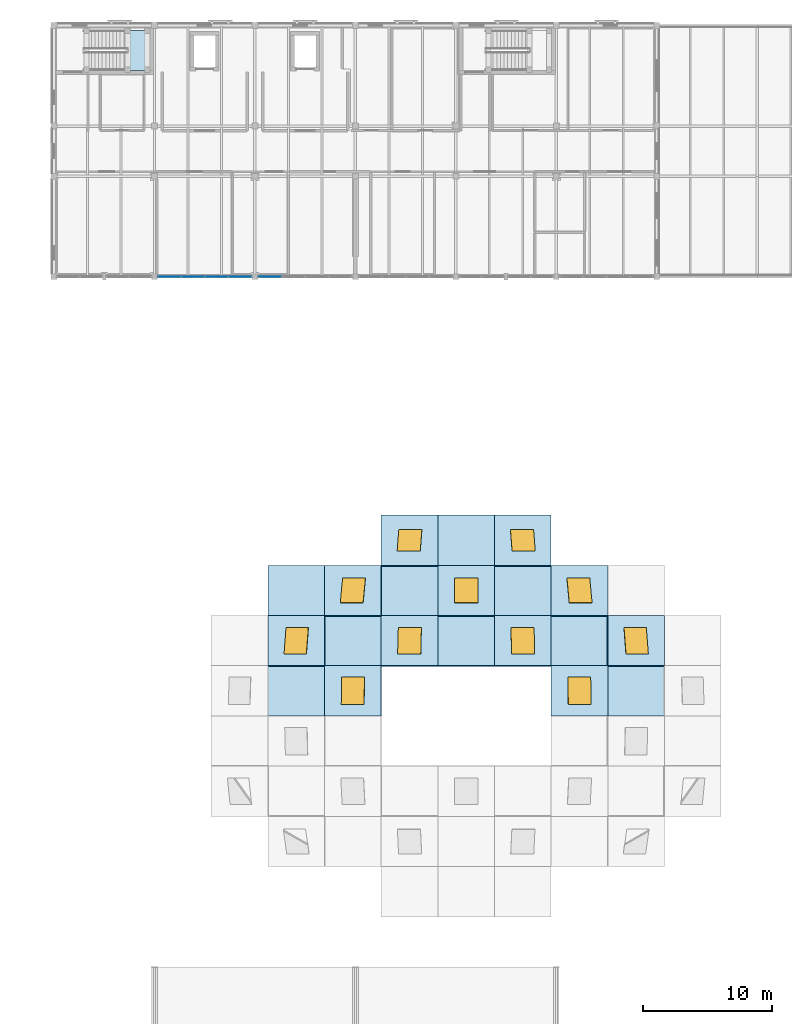
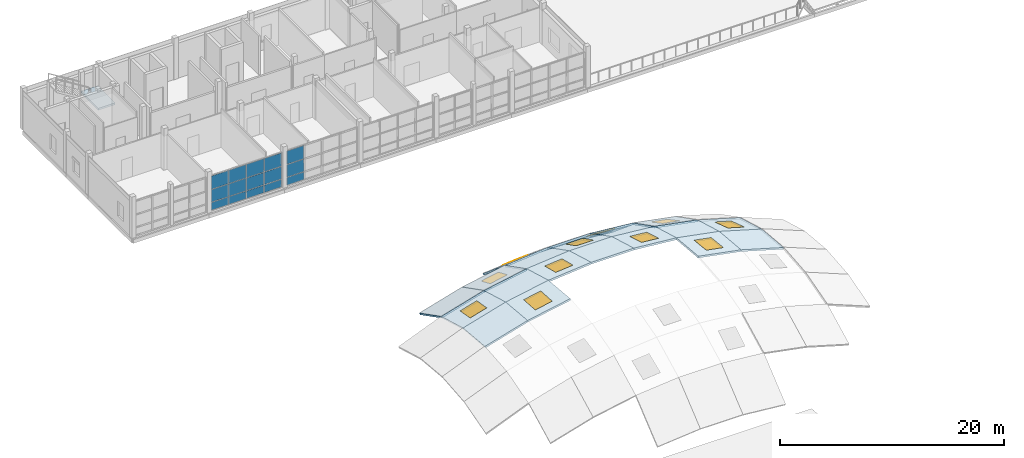
# One storey, part 22 of 45: 21 slabs, 15 plates, 11 windows, 11 openings, 3 elements without a shape of their own.
"""IFC4 building model written with IfcOpenShell, lengths in metres."""

from ifc_helpers import new_model, si_unit, direction, frame, origin, origin_2d, place, context, subcontext, project, spatial, polyline, rectangle, outline, extrude, material, layer, layer_set, type_object, element, fill, aggregate, save


model = new_model("IFC4")

# Units and contexts
model_context = context("Model", 3, precision=1e-05, world=origin(), true_north=direction((0.0, 1.0)))
body_context = subcontext(model_context, "Body", "Model", "MODEL_VIEW")
ifc_project = project(units=[si_unit("LENGTHUNIT", "METRE"), si_unit("AREAUNIT", "SQUARE_METRE"), si_unit("VOLUMEUNIT", "CUBIC_METRE"), si_unit("PLANEANGLEUNIT", "RADIAN"), si_unit("MASSUNIT", "GRAM", prefix="KILO")], contexts=[model_context])

# Site, building, storey
site_placement = place(None, origin())
site = spatial("IfcSite", under=ifc_project, at=site_placement, CompositionType="ELEMENT")
building_placement = place(site_placement, origin())
building = spatial("IfcBuilding", under=site, at=building_placement, Name="Celorna Specialist Clinic", CompositionType="ELEMENT")
storey_placement = place(building_placement, frame((0.0, 0.0, 18.60009765625)))
storey = spatial("IfcBuildingStorey", under=building, at=storey_placement, Name="L04", CompositionType="ELEMENT", Elevation=18.60009765625)

# Curtain wall, plates
ifc_material_1 = material(Name="Thermally broken aluminium and solar-control glass curtain wall", Category="aluminium")
ifc_layer_1 = layer(ifc_material_1, 0.159912109375, Name="Thermally broken aluminium and solar-control glass curtain wall")
ifc_layer_set_1 = layer_set([ifc_layer_1], Name="Thermally broken aluminium and solar-control glass curtain wall")
curtain_wall_type_1 = type_object("IfcCurtainWallType", Name="CW-73", PredefinedType="NOTDEFINED", material=ifc_layer_set_1)
curtain_wall_1_placement = place(storey_placement, origin())
curtain_wall_1 = element("IfcCurtainWall", 1, at=curtain_wall_1_placement, inside=storey, type_object=curtain_wall_type_1, Name="Curtain wall CW-73 #139", PredefinedType="NOTDEFINED")
ifc_material_2 = material(Name="Low-e double glazing", Category="glass")
ifc_layer_2 = layer(ifc_material_2, 0.028076171875, Name="Low-e double glazing")
ifc_layer_set_2 = layer_set([ifc_layer_2], Name="Low-e double glazing")
plate_type_1 = type_object("IfcPlateType", Name="CPN-01", PredefinedType="CURTAIN_PANEL", material=ifc_layer_set_2)
plate_1_placement = place(storey_placement, frame((61.24072265625, 96.5, 0.0498046875), z_axis=(0.0, 0.0, 1.0), x_axis=(-1.0, 0.0, 0.0)))
plate_1 = element("IfcPlate", 2, at=plate_1_placement, type_object=plate_type_1, Name="CW-73 panel 1.1", PredefinedType="CURTAIN_PANEL", context=body_context, shape_type="SweptSolid", body=[
    extrude(rectangle(XDim=1.760498046875, YDim=0.028076171875, at=origin_2d()), origin(), (0.0, 0.0, 1.0), 0.824951171875),
])
plate_2_placement = place(storey_placement, frame((61.24072265625, 96.5, 0.9248046875), z_axis=(0.0, 0.0, 1.0), x_axis=(-1.0, 0.0, 0.0)))
plate_2 = element("IfcPlate", 3, at=plate_2_placement, type_object=plate_type_1, Name="CW-73 panel 1.2", PredefinedType="CURTAIN_PANEL", context=body_context, shape_type="SweptSolid", body=[
    extrude(rectangle(XDim=1.760498046875, YDim=0.028076171875, at=origin_2d()), origin(), (0.0, 0.0, 1.0), 1.35009765625),
])
plate_3_placement = place(storey_placement, frame((61.24072265625, 96.5, 2.32470703125), z_axis=(0.0, 0.0, 1.0), x_axis=(-1.0, 0.0, 0.0)))
plate_3 = element("IfcPlate", 4, at=plate_3_placement, type_object=plate_type_1, Name="CW-73 panel 1.3", PredefinedType="CURTAIN_PANEL", context=body_context, shape_type="SweptSolid", body=[
    extrude(rectangle(XDim=1.760498046875, YDim=0.028076171875, at=origin_2d()), origin(), (0.0, 0.0, 1.0), 1.445068359375),
])
plate_4_placement = place(storey_placement, frame((59.417724609375, 96.5, 0.0498046875), z_axis=(0.0, 0.0, 1.0), x_axis=(-1.0, 0.0, 0.0)))
plate_4 = element("IfcPlate", 5, at=plate_4_placement, type_object=plate_type_1, Name="CW-73 panel 2.1", PredefinedType="CURTAIN_PANEL", context=body_context, shape_type="SweptSolid", body=[
    extrude(rectangle(XDim=1.785400390625, YDim=0.028076171875, at=origin_2d()), origin(), (0.0, 0.0, 1.0), 0.824951171875),
])
plate_5_placement = place(storey_placement, frame((59.417724609375, 96.5, 0.9248046875), z_axis=(0.0, 0.0, 1.0), x_axis=(-1.0, 0.0, 0.0)))
plate_5 = element("IfcPlate", 6, at=plate_5_placement, type_object=plate_type_1, Name="CW-73 panel 2.2", PredefinedType="CURTAIN_PANEL", context=body_context, shape_type="SweptSolid", body=[
    extrude(rectangle(XDim=1.785400390625, YDim=0.028076171875, at=origin_2d()), origin(), (0.0, 0.0, 1.0), 1.35009765625),
])
plate_6_placement = place(storey_placement, frame((59.417724609375, 96.5, 2.32470703125), z_axis=(0.0, 0.0, 1.0), x_axis=(-1.0, 0.0, 0.0)))
plate_6 = element("IfcPlate", 7, at=plate_6_placement, type_object=plate_type_1, Name="CW-73 panel 2.3", PredefinedType="CURTAIN_PANEL", context=body_context, shape_type="SweptSolid", body=[
    extrude(rectangle(XDim=1.785400390625, YDim=0.028076171875, at=origin_2d()), origin(), (0.0, 0.0, 1.0), 1.445068359375),
])
plate_7_placement = place(storey_placement, frame((57.582275390625, 96.5, 0.0498046875), z_axis=(0.0, 0.0, 1.0), x_axis=(-1.0, 0.0, 0.0)))
plate_7 = element("IfcPlate", 8, at=plate_7_placement, type_object=plate_type_1, Name="CW-73 panel 3.1", PredefinedType="CURTAIN_PANEL", context=body_context, shape_type="SweptSolid", body=[
    extrude(rectangle(XDim=1.785400390625, YDim=0.028076171875, at=origin_2d()), origin(), (0.0, 0.0, 1.0), 0.824951171875),
])
plate_8_placement = place(storey_placement, frame((57.582275390625, 96.5, 0.9248046875), z_axis=(0.0, 0.0, 1.0), x_axis=(-1.0, 0.0, 0.0)))
plate_8 = element("IfcPlate", 9, at=plate_8_placement, type_object=plate_type_1, Name="CW-73 panel 3.2", PredefinedType="CURTAIN_PANEL", context=body_context, shape_type="SweptSolid", body=[
    extrude(rectangle(XDim=1.785400390625, YDim=0.028076171875, at=origin_2d()), origin(), (0.0, 0.0, 1.0), 1.35009765625),
])
plate_9_placement = place(storey_placement, frame((57.582275390625, 96.5, 2.32470703125), z_axis=(0.0, 0.0, 1.0), x_axis=(-1.0, 0.0, 0.0)))
plate_9 = element("IfcPlate", 10, at=plate_9_placement, type_object=plate_type_1, Name="CW-73 panel 3.3", PredefinedType="CURTAIN_PANEL", context=body_context, shape_type="SweptSolid", body=[
    extrude(rectangle(XDim=1.785400390625, YDim=0.028076171875, at=origin_2d()), origin(), (0.0, 0.0, 1.0), 1.445068359375),
])
plate_10_placement = place(storey_placement, frame((55.75927734375, 96.5, 0.0498046875), z_axis=(0.0, 0.0, 1.0), x_axis=(-1.0, 0.0, 0.0)))
plate_10 = element("IfcPlate", 11, at=plate_10_placement, type_object=plate_type_1, Name="CW-73 panel 4.1", PredefinedType="CURTAIN_PANEL", context=body_context, shape_type="SweptSolid", body=[
    extrude(rectangle(XDim=1.760498046875, YDim=0.028076171875, at=origin_2d()), origin(), (0.0, 0.0, 1.0), 0.824951171875),
])
plate_11_placement = place(storey_placement, frame((55.75927734375, 96.5, 0.9248046875), z_axis=(0.0, 0.0, 1.0), x_axis=(-1.0, 0.0, 0.0)))
plate_11 = element("IfcPlate", 12, at=plate_11_placement, type_object=plate_type_1, Name="CW-73 panel 4.2", PredefinedType="CURTAIN_PANEL", context=body_context, shape_type="SweptSolid", body=[
    extrude(rectangle(XDim=1.760498046875, YDim=0.028076171875, at=origin_2d()), origin(), (0.0, 0.0, 1.0), 1.35009765625),
])
plate_12_placement = place(storey_placement, frame((55.75927734375, 96.5, 2.32470703125), z_axis=(0.0, 0.0, 1.0), x_axis=(-1.0, 0.0, 0.0)))
plate_12 = element("IfcPlate", 13, at=plate_12_placement, type_object=plate_type_1, Name="CW-73 panel 4.3", PredefinedType="CURTAIN_PANEL", context=body_context, shape_type="SweptSolid", body=[
    extrude(rectangle(XDim=1.760498046875, YDim=0.028076171875, at=origin_2d()), origin(), (0.0, 0.0, 1.0), 1.445068359375),
])
aggregate(curtain_wall_1, [plate_1, plate_2, plate_3, plate_4, plate_5, plate_6, plate_7, plate_8, plate_9, plate_10, plate_11, plate_12])

ifc_layer_3 = layer(ifc_material_1, 0.159912109375, Name="Thermally broken aluminium and solar-control glass curtain wall")
ifc_layer_set_3 = layer_set([ifc_layer_3], Name="Thermally broken aluminium and solar-control glass curtain wall")
curtain_wall_type_2 = type_object("IfcCurtainWallType", Name="CW-74", PredefinedType="NOTDEFINED", material=ifc_layer_set_3)
curtain_wall_2_placement = place(storey_placement, origin())
curtain_wall_2 = element("IfcCurtainWall", 14, at=curtain_wall_2_placement, inside=storey, type_object=curtain_wall_type_2, Name="Curtain wall CW-74 #140", PredefinedType="NOTDEFINED")
ifc_material_3 = material(Name="Solar-control triple glazing", Category="glass")
ifc_layer_4 = layer(ifc_material_3, 0.035888671875, Name="Solar-control triple glazing")
ifc_layer_set_4 = layer_set([ifc_layer_4], Name="Solar-control triple glazing")
plate_type_2 = type_object("IfcPlateType", Name="CPN-02", PredefinedType="CURTAIN_PANEL", material=ifc_layer_set_4)
plate_13_placement = place(storey_placement, frame((63.559326171875, 96.5, 0.0498046875), z_axis=(0.0, 0.0, 1.0), x_axis=(-1.0, 0.0, 0.0)))
plate_13 = element("IfcPlate", 15, at=plate_13_placement, type_object=plate_type_2, Name="CW-74 panel 4.1", PredefinedType="CURTAIN_PANEL", context=body_context, shape_type="SweptSolid", body=[
    extrude(rectangle(XDim=1.760498046875, YDim=0.035888671875, at=origin_2d()), origin(), (0.0, 0.0, 1.0), 0.824951171875),
])
plate_14_placement = place(storey_placement, frame((63.559326171875, 96.5, 0.9248046875), z_axis=(0.0, 0.0, 1.0), x_axis=(-1.0, 0.0, 0.0)))
plate_14 = element("IfcPlate", 16, at=plate_14_placement, type_object=plate_type_2, Name="CW-74 panel 4.2", PredefinedType="CURTAIN_PANEL", context=body_context, shape_type="SweptSolid", body=[
    extrude(rectangle(XDim=1.760498046875, YDim=0.035888671875, at=origin_2d()), origin(), (0.0, 0.0, 1.0), 1.35009765625),
])
plate_15_placement = place(storey_placement, frame((63.559326171875, 96.5, 2.32470703125), z_axis=(0.0, 0.0, 1.0), x_axis=(-1.0, 0.0, 0.0)))
plate_15 = element("IfcPlate", 17, at=plate_15_placement, type_object=plate_type_2, Name="CW-74 panel 4.3", PredefinedType="CURTAIN_PANEL", context=body_context, shape_type="SweptSolid", body=[
    extrude(rectangle(XDim=1.760498046875, YDim=0.035888671875, at=origin_2d()), origin(), (0.0, 0.0, 1.0), 1.445068359375),
])
aggregate(curtain_wall_2, [plate_13, plate_14, plate_15])

# Stair, slab
ifc_material_4 = material(Name="Concrete C35/45", Category="concrete")
stair_type = type_object("IfcStairType", Name="ST-01", PredefinedType="HALF_TURN_STAIR", material=ifc_material_4)
stair_placement = place(storey_placement, origin())
stair = element("IfcStair", 18, at=stair_placement, inside=storey, type_object=stair_type, Name="L04 Protected exit stair ST-01", PredefinedType="HALF_TURN_STAIR")
ifc_layer_5 = layer(ifc_material_4, 0.199951171875, Name="Concrete C35/45")
ifc_layer_set_5 = layer_set([ifc_layer_5], Name="Concrete C35/45")
slab_type_1 = type_object("IfcSlabType", Name="SL-11", PredefinedType="LANDING", material=ifc_layer_set_5)
slab_1_placement = place(storey_placement, frame((0.0, 0.0, 2.0498046875)))
slab_1 = element("IfcSlab", 19, at=slab_1_placement, type_object=slab_type_1, Name="ST-01 landing 1", PredefinedType="LANDING", context=body_context, shape_type="SweptSolid", body=[
    extrude(outline(polyline([(52.5, 112.52001953125), (54.239990234375, 112.52001953125), (54.239990234375, 115.6201171875), (52.5, 115.6201171875), (52.5, 112.52001953125)])), origin(), (0.0, 0.0, 1.0), 0.2001953125),
])
aggregate(stair, [slab_1])

# Slab
ifc_material_5 = material(Name="Glulam GL28h insulated roof deck", Category="wood")
ifc_layer_6 = layer(ifc_material_5, 0.179931640625, Name="Glulam GL28h insulated roof deck")
ifc_layer_set_6 = layer_set([ifc_layer_6], Name="Glulam GL28h insulated roof deck")
slab_type_2 = type_object("IfcSlabType", Name="SL-12", PredefinedType="ROOF", material=ifc_layer_set_6)
slab_2_placement = place(storey_placement, frame((63.39990234375, 62.39990234375, 2.900146484375), z_axis=(-0.279602423, 0.087413174051, 0.956128350199), x_axis=(0.959802282197, -2.225433e-06, 0.280677001345)))
element("IfcSlab", 20, at=slab_2_placement, inside=storey, type_object=slab_type_2, Name="GSH-V1 translational gridshell roof facet 3-5", PredefinedType="ROOF", context=body_context, shape_type="SweptSolid", body=[
    extrude(outline(polyline([(0.0, 0.0), (4.584464112824784, 1.3877787807814457e-17), (4.484340907194627, 3.9151430747324243), (-0.10005468097162495, 3.915122591641186), (0.0, 0.0)])), origin(), (0.0, 0.0, -1.0), 0.179931640625),
])

# Slab, opening, window
slab_3_placement = place(storey_placement, frame((63.39990234375, 66.300048828125, 2.543701171875), z_axis=(-0.270763041406, 0.263119087234, 0.925989050336), x_axis=(0.959809509952, 0.0, 0.280652284162)))
slab_3 = element("IfcSlab", 21, at=slab_3_placement, inside=storey, type_object=slab_type_2, Name="GSH-V1 translational gridshell roof facet 3-6", PredefinedType="ROOF", context=body_context, shape_type="SweptSolid", body=[
    extrude(outline(polyline([(0.0, 0.0), (4.584395589697743, 0.0), (4.27338955507605, 4.042340841999616), (-0.31100603462169335, 4.042340841999616), (0.0, 0.0)])), origin(), (0.0, 0.0, -1.0), 0.179931640625),
])
opening_1_placement = place(slab_3_placement, frame((2.13671875, 2.021240234375, 0.010009765625)))
opening_1 = element("IfcOpeningElement", 22, at=opening_1_placement, cuts=slab_3, Name="Opening SK-02", PredefinedType="OPENING", context=body_context, shape_type="SweptSolid", body=[
    extrude(rectangle(XDim=1.800048828125, YDim=2.14990234375, at=origin_2d()), origin(), (0.0, 0.0, -1.0), 0.199951171875),
])
ifc_material_6 = material(Name="Outpatient atrium skylight lantern")
window_type_1 = type_object("IfcWindowType", Name="SK-02", PartitioningType="SINGLE_PANEL", PredefinedType="SKYLIGHT", material=ifc_material_6)
window_1_placement = place(opening_1_placement, frame((0.0, 0.0, -0.010009765625)))
window_1 = element("IfcWindow", 23, at=window_1_placement, inside=storey, type_object=window_type_1, Name="GSH-V1 gridshell skylight 3-6", OverallHeight=2.14990234375, OverallWidth=1.800048828125, PartitioningType="SINGLE_PANEL", PredefinedType="SKYLIGHT", context=body_context, shape_type="SweptSolid", body=[
    extrude(rectangle(XDim=1.800048828125, YDim=2.14990234375, at=origin_2d()), origin(), (0.0, 0.0, -1.0), 0.050048828125),
])
fill(opening_1, window_1)

# Slab
slab_4_placement = place(storey_placement, frame((63.39990234375, 70.199951171875, 1.435546875), z_axis=(-0.251864517352, 0.441166030101, 0.861357532494), x_axis=(0.959809509952, 0.0, 0.280652284162)))
element("IfcSlab", 24, at=slab_4_placement, inside=storey, type_object=slab_type_2, Name="GSH-V1 translational gridshell roof facet 3-7", PredefinedType="ROOF", context=body_context, shape_type="SweptSolid", body=[
    extrude(outline(polyline([(0.0, 0.0), (4.584395589697743, -1.1102230246251565e-16), (4.023776207614752, 4.345927846096854), (-0.5606193820829908, 4.3459278460968545), (0.0, 0.0)])), origin(), (0.0, 0.0, -1.0), 0.179931640625),
])

# Slab, opening, window
slab_5_placement = place(storey_placement, frame((67.800048828125, 62.39990234375, 4.18701171875), z_axis=(-0.186374010605, 0.089479568677, 0.978395694471), x_axis=(0.982336180889, 0.0, 0.187124631506)))
slab_5 = element("IfcSlab", 25, at=slab_5_placement, inside=storey, type_object=slab_type_2, Name="GSH-V1 translational gridshell roof facet 4-5", PredefinedType="ROOF", context=body_context, shape_type="SweptSolid", body=[
    extrude(outline(polyline([(0.0, 0.0), (4.479018923814234, -1.3877787807814457e-17), (4.412273541336312, 3.915854315404387), (-0.06674538247792192, 3.915854315404387), (0.0, 0.0)])), origin(), (0.0, 0.0, -1.0), 0.179931640625),
])
opening_2_placement = place(slab_5_placement, frame((2.2060546875, 1.9580078125, 0.010009765625)))
opening_2 = element("IfcOpeningElement", 26, at=opening_2_placement, cuts=slab_5, Name="Opening SK-03", PredefinedType="OPENING", context=body_context, shape_type="SweptSolid", body=[
    extrude(rectangle(XDim=1.800048828125, YDim=2.139892578125, at=origin_2d()), origin(), (0.0, 0.0, -1.0), 0.199951171875),
])
ifc_material_7 = material(Name="Gridshell crown acoustic skylight")
window_type_2 = type_object("IfcWindowType", Name="SK-03", PartitioningType="SINGLE_PANEL", PredefinedType="SKYLIGHT", material=ifc_material_7)
window_2_placement = place(opening_2_placement, frame((0.0, 0.0, -0.010009765625)))
window_2 = element("IfcWindow", 27, at=window_2_placement, inside=storey, type_object=window_type_2, Name="GSH-V1 gridshell skylight 4-5", OverallHeight=2.139892578125, OverallWidth=1.800048828125, PartitioningType="SINGLE_PANEL", PredefinedType="SKYLIGHT", context=body_context, shape_type="SweptSolid", body=[
    extrude(rectangle(XDim=1.800048828125, YDim=2.139892578125, at=origin_2d()), origin(), (0.0, 0.0, -1.0), 0.050048828125),
])
fill(opening_2, window_2)

# Slab
slab_6_placement = place(storey_placement, frame((67.800048828125, 66.300048828125, 3.830322265625), z_axis=(-0.180234938172, 0.268852863528, 0.946167799513), x_axis=(0.982336180889, 0.0, 0.187124631506)))
element("IfcSlab", 28, at=slab_6_placement, inside=storey, type_object=slab_type_2, Name="GSH-V1 translational gridshell roof facet 4-6", PredefinedType="ROOF", context=body_context, shape_type="SweptSolid", body=[
    extrude(outline(polyline([(0.0, 0.0), (4.479018923814234, 0.0), (4.271655959360238, 4.04898071586444), (-0.20736296445399563, 4.04898071586444), (0.0, 0.0)])), origin(), (0.0, 0.0, -1.0), 0.179931640625),
])

# Slab, opening, window
slab_7_placement = place(storey_placement, frame((67.800048828125, 70.199951171875, 2.72216796875), z_axis=(-0.167159665303, 0.449447825064, 0.87752737783), x_axis=(0.982336180889, 0.0, 0.187124631506)))
slab_7 = element("IfcSlab", 29, at=slab_7_placement, inside=storey, type_object=slab_type_2, Name="GSH-V1 translational gridshell roof facet 4-7", PredefinedType="ROOF", context=body_context, shape_type="SweptSolid", body=[
    extrude(outline(polyline([(0.0, 0.0), (4.479018923814234, 0.0), (4.105226508048076, 4.365966349499598), (-0.37379241576615824, 4.365966349499598), (0.0, 0.0)])), origin(), (0.0, 0.0, -1.0), 0.179931640625),
])
opening_3_placement = place(slab_7_placement, frame((2.052734375, 2.182861328125, 0.010009765625)))
opening_3 = element("IfcOpeningElement", 30, at=opening_3_placement, cuts=slab_7, Name="Opening SK-02", PredefinedType="OPENING", context=body_context, shape_type="SweptSolid", body=[
    extrude(rectangle(XDim=1.800048828125, YDim=2.139892578125, at=origin_2d()), origin(), (0.0, 0.0, -1.0), 0.199951171875),
])
window_3_placement = place(opening_3_placement, frame((0.0, 0.0, -0.010009765625)))
window_3 = element("IfcWindow", 31, at=window_3_placement, inside=storey, type_object=window_type_1, Name="GSH-V1 gridshell skylight 4-7", OverallHeight=2.139892578125, OverallWidth=1.800048828125, PartitioningType="SINGLE_PANEL", PredefinedType="SKYLIGHT", context=body_context, shape_type="SweptSolid", body=[
    extrude(rectangle(XDim=1.800048828125, YDim=2.139892578125, at=origin_2d()), origin(), (0.0, 0.0, -1.0), 0.050048828125),
])
fill(opening_3, window_3)

slab_8_placement = place(storey_placement, frame((72.199951171875, 66.300048828125, 4.66845703125), z_axis=(-0.08999188901, 0.272219978518, 0.958017611116), x_axis=(0.995617043189, 0.0, 0.09352381147)))
slab_8 = element("IfcSlab", 32, at=slab_8_placement, inside=storey, type_object=slab_type_2, Name="GSH-V1 translational gridshell roof facet 5-6", PredefinedType="ROOF", context=body_context, shape_type="SweptSolid", body=[
    extrude(outline(polyline([(0.0, 0.0), (4.419517036672728, 0.0), (4.3158782231324295, 4.0529622787286375), (-0.10363881354029868, 4.0529622787286375), (0.0, 0.0)])), origin(), (0.0, 0.0, -1.0), 0.179931640625),
])
opening_4_placement = place(slab_8_placement, frame((2.15771484375, 2.0263671875, 0.010009765625)))
opening_4 = element("IfcOpeningElement", 33, at=opening_4_placement, cuts=slab_8, Name="Opening SK-02", PredefinedType="OPENING", context=body_context, shape_type="SweptSolid", body=[
    extrude(rectangle(XDim=1.800048828125, YDim=2.14990234375, at=origin_2d()), origin(), (0.0, 0.0, -1.0), 0.199951171875),
])
window_4_placement = place(opening_4_placement, frame((0.0, 0.0, -0.010009765625)))
window_4 = element("IfcWindow", 34, at=window_4_placement, inside=storey, type_object=window_type_1, Name="GSH-V1 gridshell skylight 5-6", OverallHeight=2.14990234375, OverallWidth=1.800048828125, PartitioningType="SINGLE_PANEL", PredefinedType="SKYLIGHT", context=body_context, shape_type="SweptSolid", body=[
    extrude(rectangle(XDim=1.800048828125, YDim=2.14990234375, at=origin_2d()), origin(), (0.0, 0.0, -1.0), 0.050048828125),
])
fill(opening_4, window_4)

# Slab
slab_9_placement = place(storey_placement, frame((72.199951171875, 70.199951171875, 3.560302734375), z_axis=(-0.08334215939, 0.454253935344, 0.886965301854), x_axis=(0.995615001719, 1.1128601e-05, 0.093545540936)))
element("IfcSlab", 35, at=slab_9_placement, inside=storey, type_object=slab_type_2, Name="GSH-V1 translational gridshell roof facet 5-7", PredefinedType="ROOF", context=body_context, shape_type="SweptSolid", body=[
    extrude(outline(polyline([(0.0, 0.0), (4.419517035346468, -2.7755575615628914e-17), (4.2327205775831205, 4.377843612543611), (-0.18681929603017816, 4.377954028305354), (0.0, 0.0)])), origin(), (0.0, 0.0, -1.0), 0.179931640625),
])

# Slab, opening, window
slab_10_placement = place(storey_placement, frame((72.199951171875, 74.10009765625, 1.562744140625), z_axis=(-0.072061583941, 0.637693264778, 0.766912268892), x_axis=(0.995613424634, -1.3507983e-05, 0.093562324183)))
slab_10 = element("IfcSlab", 36, at=slab_10_placement, inside=storey, type_object=slab_type_2, Name="GSH-V1 translational gridshell roof facet 5-8", PredefinedType="ROOF", context=body_context, shape_type="SweptSolid", body=[
    extrude(outline(polyline([(0.0, 0.0), (4.419539875327313, 0.0), (4.116072070481509, 5.0629709848209075), (-0.30344496248150205, 5.062815981158357), (0.0, 0.0)])), origin(), (0.0, 0.0, -1.0), 0.179931640625),
])
opening_5_placement = place(slab_10_placement, frame((2.057861328125, 2.531494140625, 0.010009765625)))
opening_5 = element("IfcOpeningElement", 37, at=opening_5_placement, cuts=slab_10, Name="Opening SK-02", PredefinedType="OPENING", context=body_context, shape_type="SweptSolid", body=[
    extrude(rectangle(XDim=1.800048828125, YDim=2.14990234375, at=origin_2d()), origin(), (0.0, 0.0, -1.0), 0.199951171875),
])
window_5_placement = place(opening_5_placement, frame((0.0, 0.0, -0.010009765625)))
window_5 = element("IfcWindow", 38, at=window_5_placement, inside=storey, type_object=window_type_1, Name="GSH-V1 gridshell skylight 5-8", OverallHeight=2.14990234375, OverallWidth=1.800048828125, PartitioningType="SINGLE_PANEL", PredefinedType="SKYLIGHT", context=body_context, shape_type="SweptSolid", body=[
    extrude(rectangle(XDim=1.800048828125, YDim=2.14990234375, at=origin_2d()), origin(), (0.0, 0.0, -1.0), 0.050048828125),
])
fill(opening_5, window_5)

# Slab
slab_11_placement = place(storey_placement, frame((76.60009765625, 66.300048828125, 5.081787109375), z_axis=(0.0, 0.273329011448, 0.961920605612), x_axis=(1.0, 0.0, 0.0)))
element("IfcSlab", 39, at=slab_11_placement, inside=storey, type_object=slab_type_2, Name="GSH-V1 translational gridshell roof facet 6-6", PredefinedType="ROOF", context=body_context, shape_type="SweptSolid", body=[
    extrude(outline(polyline([(0.0, 0.0), (4.39990234375, 0.0), (4.39990234375, 4.054287142824157), (0.0, 4.054287142824157), (0.0, 0.0)])), origin(), (0.0, 0.0, -1.0), 0.179931640625),
])

# Slab, opening, window
slab_12_placement = place(storey_placement, frame((76.60009765625, 70.199951171875, 3.9736328125), z_axis=(0.0, 0.455817736592, 0.89007313801), x_axis=(1.0, 0.0, 0.0)))
slab_12 = element("IfcSlab", 40, at=slab_12_placement, inside=storey, type_object=slab_type_2, Name="GSH-V1 translational gridshell roof facet 6-7", PredefinedType="ROOF", context=body_context, shape_type="SweptSolid", body=[
    extrude(outline(polyline([(0.0, 0.0), (4.39990234375, 0.0), (4.39990234375, 4.381826973334832), (0.0, 4.381826973334832), (0.0, 0.0)])), origin(), (0.0, 0.0, -1.0), 0.179931640625),
])
opening_6_placement = place(slab_12_placement, frame((2.199951171875, 2.190673828125, 0.010009765625)))
opening_6 = element("IfcOpeningElement", 41, at=opening_6_placement, cuts=slab_12, Name="Opening SK-02", PredefinedType="OPENING", context=body_context, shape_type="SweptSolid", body=[
    extrude(rectangle(XDim=1.800048828125, YDim=2.139892578125, at=origin_2d()), origin(), (0.0, 0.0, -1.0), 0.199951171875),
])
window_6_placement = place(opening_6_placement, frame((0.0, 0.0, -0.010009765625)))
window_6 = element("IfcWindow", 42, at=window_6_placement, inside=storey, type_object=window_type_1, Name="GSH-V1 gridshell skylight 6-7", OverallHeight=2.139892578125, OverallWidth=1.800048828125, PartitioningType="SINGLE_PANEL", PredefinedType="SKYLIGHT", context=body_context, shape_type="SweptSolid", body=[
    extrude(rectangle(XDim=1.800048828125, YDim=2.139892578125, at=origin_2d()), origin(), (0.0, 0.0, -1.0), 0.050048828125),
])
fill(opening_6, window_6)

# Slab
slab_13_placement = place(storey_placement, frame((76.60009765625, 74.10009765625, 1.976318359375), z_axis=(0.0, 0.639369700037, 0.768899464608), x_axis=(1.0, 0.0, 0.0)))
element("IfcSlab", 43, at=slab_13_placement, inside=storey, type_object=slab_type_2, Name="GSH-V1 translational gridshell roof facet 6-8", PredefinedType="ROOF", context=body_context, shape_type="SweptSolid", body=[
    extrude(outline(polyline([(0.0, 0.0), (4.39990234375, 0.0), (4.39990234375, 5.072057561826414), (0.0, 5.072057561826414), (0.0, 0.0)])), origin(), (0.0, 0.0, -1.0), 0.179931640625),
])

# Slab, opening, window
slab_14_placement = place(storey_placement, frame((81.0, 66.300048828125, 5.081787109375), z_axis=(0.089996842013, 0.272219856188, 0.9580171806), x_axis=(0.995616559968, 0.0, -0.0935289555)))
slab_14 = element("IfcSlab", 44, at=slab_14_placement, inside=storey, type_object=slab_type_2, Name="GSH-V1 translational gridshell roof facet 7-6", PredefinedType="ROOF", context=body_context, shape_type="SweptSolid", body=[
    extrude(outline(polyline([(0.0, 0.0), (4.419273966164528, 1.3877787807814457e-17), (4.5229184800844076, 4.052962132959495), (0.10364451391987897, 4.052962132959495), (0.0, 0.0)])), origin(), (0.0, 0.0, -1.0), 0.179931640625),
])
opening_7_placement = place(slab_14_placement, frame((2.261474609375, 2.0263671875, 0.010009765625)))
opening_7 = element("IfcOpeningElement", 45, at=opening_7_placement, cuts=slab_14, Name="Opening SK-02", PredefinedType="OPENING", context=body_context, shape_type="SweptSolid", body=[
    extrude(rectangle(XDim=1.800048828125, YDim=2.14990234375, at=origin_2d()), origin(), (0.0, 0.0, -1.0), 0.199951171875),
])
window_7_placement = place(opening_7_placement, frame((0.0, 0.0, -0.010009765625)))
window_7 = element("IfcWindow", 46, at=window_7_placement, inside=storey, type_object=window_type_1, Name="GSH-V1 gridshell skylight 7-6", OverallHeight=2.14990234375, OverallWidth=1.800048828125, PartitioningType="SINGLE_PANEL", PredefinedType="SKYLIGHT", context=body_context, shape_type="SweptSolid", body=[
    extrude(rectangle(XDim=1.800048828125, YDim=2.14990234375, at=origin_2d()), origin(), (0.0, 0.0, -1.0), 0.050048828125),
])
fill(opening_7, window_7)

# Slab
slab_15_placement = place(storey_placement, frame((81.0, 70.199951171875, 3.9736328125), z_axis=(0.083346751734, 0.454253760264, 0.886964959997), x_axis=(0.995614518274, -1.1129205e-05, -0.093550686145)))
element("IfcSlab", 47, at=slab_15_placement, inside=storey, type_object=slab_type_2, Name="GSH-V1 translational gridshell roof facet 7-7", PredefinedType="ROOF", context=body_context, shape_type="SweptSolid", body=[
    extrude(outline(polyline([(0.0, 0.0), (4.419273964838197, 2.7755575615628914e-17), (4.606103536371002, 4.377953589809419), (0.18680673200981973, 4.377843174143823), (0.0, 0.0)])), origin(), (0.0, 0.0, -1.0), 0.179931640625),
])

# Slab, opening, window
slab_16_placement = place(storey_placement, frame((81.0, 74.10009765625, 1.976318359375), z_axis=(0.07206556171, 0.637693081027, 0.766912047907), x_axis=(0.995612941017, 1.3508718e-05, -0.093567470288)))
slab_16 = element("IfcSlab", 48, at=slab_16_placement, inside=storey, type_object=slab_type_2, Name="GSH-V1 translational gridshell roof facet 7-8", PredefinedType="ROOF", context=body_context, shape_type="SweptSolid", body=[
    extrude(outline(polyline([(0.0, 0.0), (4.4192968060752875, 5.551115123125783e-17), (4.722758458574069, 5.0628149807977945), (0.3034844961194572, 5.062969984340361), (0.0, 0.0)])), origin(), (0.0, 0.0, -1.0), 0.179931640625),
])
opening_8_placement = place(slab_16_placement, frame((2.361328125, 2.531494140625, 0.010009765625)))
opening_8 = element("IfcOpeningElement", 49, at=opening_8_placement, cuts=slab_16, Name="Opening SK-02", PredefinedType="OPENING", context=body_context, shape_type="SweptSolid", body=[
    extrude(rectangle(XDim=1.800048828125, YDim=2.14990234375, at=origin_2d()), origin(), (0.0, 0.0, -1.0), 0.199951171875),
])
window_8_placement = place(opening_8_placement, frame((0.0, 0.0, -0.010009765625)))
window_8 = element("IfcWindow", 50, at=window_8_placement, inside=storey, type_object=window_type_1, Name="GSH-V1 gridshell skylight 7-8", OverallHeight=2.14990234375, OverallWidth=1.800048828125, PartitioningType="SINGLE_PANEL", PredefinedType="SKYLIGHT", context=body_context, shape_type="SweptSolid", body=[
    extrude(rectangle(XDim=1.800048828125, YDim=2.14990234375, at=origin_2d()), origin(), (0.0, 0.0, -1.0), 0.050048828125),
])
fill(opening_8, window_8)

slab_17_placement = place(storey_placement, frame((85.39990234375, 62.39990234375, 5.025146484375), z_axis=(0.186364028872, 0.089479741125, 0.978397580062), x_axis=(0.982338089354, 0.0, -0.187114612481)))
slab_17 = element("IfcSlab", 51, at=slab_17_placement, inside=storey, type_object=slab_type_2, Name="GSH-V1 translational gridshell roof facet 8-5", PredefinedType="ROOF", context=body_context, shape_type="SweptSolid", body=[
    extrude(outline(polyline([(0.0, 0.0), (4.47925875221637, 0.0), (4.546000561014066, 3.915854376315812), (0.066741808797696, 3.915854376315812), (0.0, 0.0)])), origin(), (0.0, 0.0, -1.0), 0.179931640625),
])
opening_9_placement = place(slab_17_placement, frame((2.273193359375, 1.9580078125, 0.010009765625)))
opening_9 = element("IfcOpeningElement", 52, at=opening_9_placement, cuts=slab_17, Name="Opening SK-03", PredefinedType="OPENING", context=body_context, shape_type="SweptSolid", body=[
    extrude(rectangle(XDim=1.800048828125, YDim=2.139892578125, at=origin_2d()), origin(), (0.0, 0.0, -1.0), 0.199951171875),
])
window_9_placement = place(opening_9_placement, frame((0.0, 0.0, -0.010009765625)))
window_9 = element("IfcWindow", 53, at=window_9_placement, inside=storey, type_object=window_type_2, Name="GSH-V1 gridshell skylight 8-5", OverallHeight=2.139892578125, OverallWidth=1.800048828125, PartitioningType="SINGLE_PANEL", PredefinedType="SKYLIGHT", context=body_context, shape_type="SweptSolid", body=[
    extrude(rectangle(XDim=1.800048828125, YDim=2.139892578125, at=origin_2d()), origin(), (0.0, 0.0, -1.0), 0.050048828125),
])
fill(opening_9, window_9)

# Slab
slab_18_placement = place(storey_placement, frame((85.39990234375, 66.300048828125, 4.66845703125), z_axis=(0.180225262727, 0.268853348096, 0.946169504842), x_axis=(0.982338089354, 0.0, -0.187114612481)))
element("IfcSlab", 54, at=slab_18_placement, inside=storey, type_object=slab_type_2, Name="GSH-V1 translational gridshell roof facet 8-6", PredefinedType="ROOF", context=body_context, shape_type="SweptSolid", body=[
    extrude(outline(polyline([(0.0, 0.0), (4.47925875221637, 0.0), (4.686610614045763, 4.04898128445479), (0.20735186182939233, 4.04898128445479), (0.0, 0.0)])), origin(), (0.0, 0.0, -1.0), 0.179931640625),
])

# Slab, opening, window
slab_19_placement = place(storey_placement, frame((85.39990234375, 70.199951171875, 3.560302734375), z_axis=(0.167150649645, 0.449448521858, 0.877528738289), x_axis=(0.982338089354, 0.0, -0.187114612481)))
slab_19 = element("IfcSlab", 55, at=slab_19_placement, inside=storey, type_object=slab_type_2, Name="GSH-V1 translational gridshell roof facet 8-7", PredefinedType="ROOF", context=body_context, shape_type="SweptSolid", body=[
    extrude(outline(polyline([(0.0, 0.0), (4.47925875221637, 5.551115123125783e-17), (4.853031154394842, 4.365968062917649), (0.3737724021784728, 4.3659680629176485), (0.0, 0.0)])), origin(), (0.0, 0.0, -1.0), 0.179931640625),
])
opening_10_placement = place(slab_19_placement, frame((2.426513671875, 2.182861328125, 0.010009765625)))
opening_10 = element("IfcOpeningElement", 56, at=opening_10_placement, cuts=slab_19, Name="Opening SK-02", PredefinedType="OPENING", context=body_context, shape_type="SweptSolid", body=[
    extrude(rectangle(XDim=1.800048828125, YDim=2.139892578125, at=origin_2d()), origin(), (0.0, 0.0, -1.0), 0.199951171875),
])
window_10_placement = place(opening_10_placement, frame((0.0, 0.0, -0.010009765625)))
window_10 = element("IfcWindow", 57, at=window_10_placement, inside=storey, type_object=window_type_1, Name="GSH-V1 gridshell skylight 8-7", OverallHeight=2.139892578125, OverallWidth=1.800048828125, PartitioningType="SINGLE_PANEL", PredefinedType="SKYLIGHT", context=body_context, shape_type="SweptSolid", body=[
    extrude(rectangle(XDim=1.800048828125, YDim=2.139892578125, at=origin_2d()), origin(), (0.0, 0.0, -1.0), 0.050048828125),
])
fill(opening_10, window_10)

# Slab
slab_20_placement = place(storey_placement, frame((89.800048828125, 62.39990234375, 4.18701171875), z_axis=(0.279616724527, 0.087412794854, 0.956124202528), x_axis=(0.959798086524, 2.225528e-06, -0.280691348458)))
element("IfcSlab", 58, at=slab_20_placement, inside=storey, type_object=slab_type_2, Name="GSH-V1 translational gridshell roof facet 9-5", PredefinedType="ROOF", context=body_context, shape_type="SweptSolid", body=[
    extrude(outline(polyline([(0.0, 0.0), (4.5842297883458585, 0.0), (4.684289583646814, 3.915122460936309), (0.10012832346220006, 3.915142943849137), (0.0, 0.0)])), origin(), (0.0, 0.0, -1.0), 0.179931640625),
])

# Slab, opening, window
slab_21_placement = place(storey_placement, frame((89.800048828125, 66.300048828125, 3.830322265625), z_axis=(0.270776963899, 0.263118016855, 0.925985283375), x_axis=(0.959805314986, 0.0, -0.280666630229)))
slab_21 = element("IfcSlab", 59, at=slab_21_placement, inside=storey, type_object=slab_type_2, Name="GSH-V1 translational gridshell roof facet 9-6", PredefinedType="ROOF", context=body_context, shape_type="SweptSolid", body=[
    extrude(outline(polyline([(0.0, 0.0), (4.58416126171617, -5.551115123125783e-17), (4.895183193993332, 4.042339618848453), (0.3110219322771617, 4.042339618848453), (0.0, 0.0)])), origin(), (0.0, 0.0, -1.0), 0.179931640625),
])
opening_11_placement = place(slab_21_placement, frame((2.447509765625, 2.021240234375, 0.010009765625)))
opening_11 = element("IfcOpeningElement", 60, at=opening_11_placement, cuts=slab_21, Name="Opening SK-02", PredefinedType="OPENING", context=body_context, shape_type="SweptSolid", body=[
    extrude(rectangle(XDim=1.800048828125, YDim=2.14990234375, at=origin_2d()), origin(), (0.0, 0.0, -1.0), 0.199951171875),
])
window_11_placement = place(opening_11_placement, frame((0.0, 0.0, -0.010009765625)))
window_11 = element("IfcWindow", 61, at=window_11_placement, inside=storey, type_object=window_type_1, Name="GSH-V1 gridshell skylight 9-6", OverallHeight=2.14990234375, OverallWidth=1.800048828125, PartitioningType="SINGLE_PANEL", PredefinedType="SKYLIGHT", context=body_context, shape_type="SweptSolid", body=[
    extrude(rectangle(XDim=1.800048828125, YDim=2.14990234375, at=origin_2d()), origin(), (0.0, 0.0, -1.0), 0.050048828125),
])
fill(opening_11, window_11)

save(model, "model.ifc")
